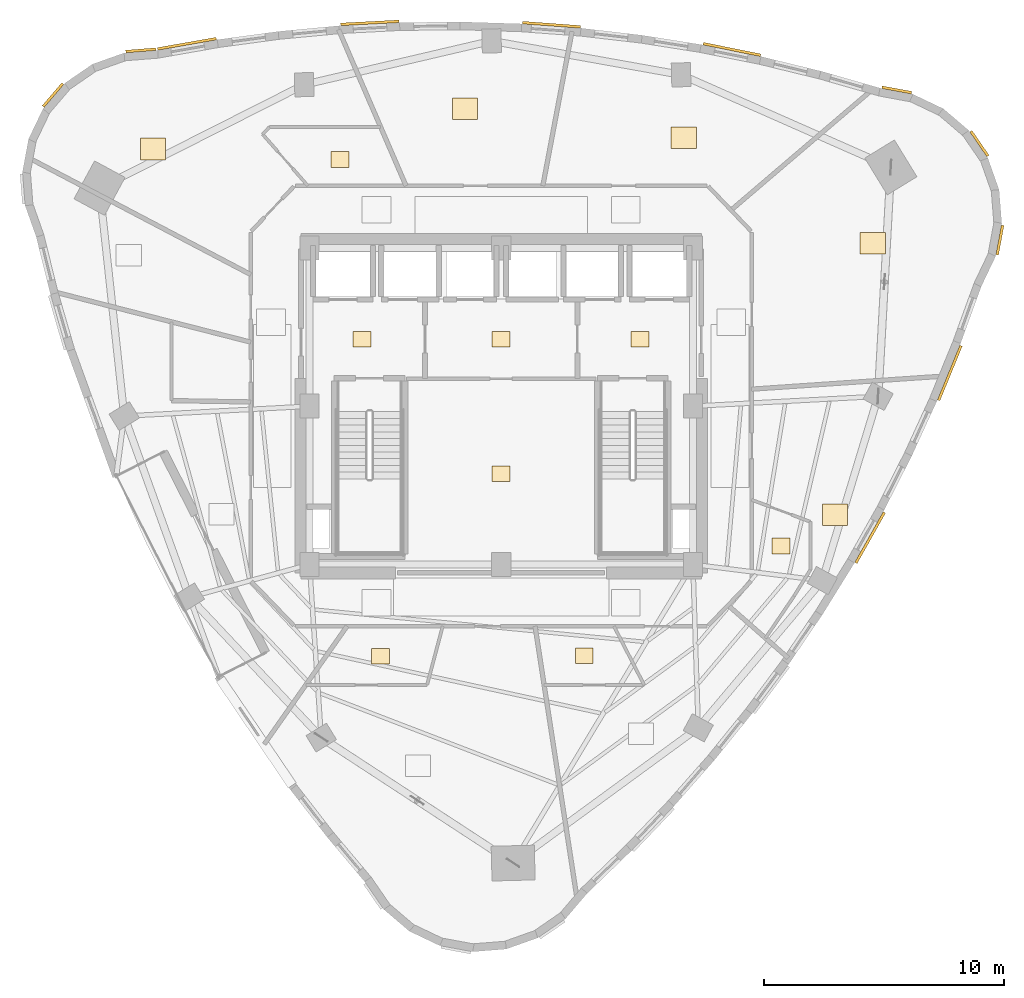
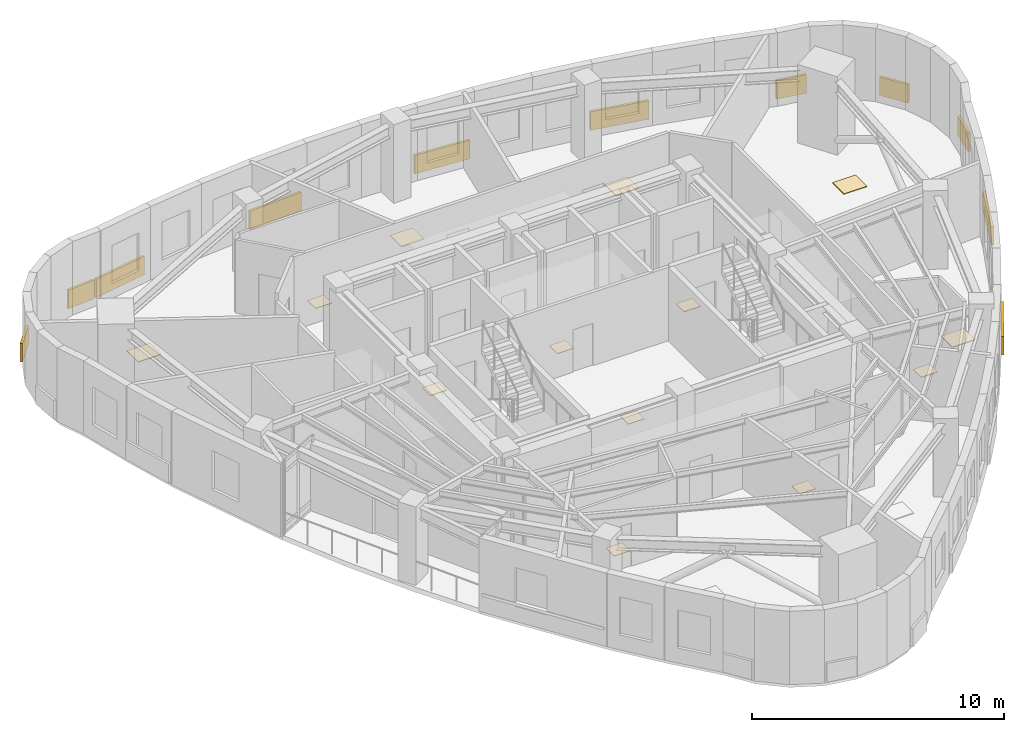
# One storey, part 13 of 13: 24 coverings.
"""IFC4 building model written with IfcOpenShell, lengths in metres."""

from ifc_helpers import new_model, si_unit, direction, frame, origin, origin_2d, place, context, subcontext, project, spatial, rectangle, extrude, material, layer, layer_set, type_object, element, save


model = new_model("IFC4")

# Units and contexts
model_context = context("Model", 3, precision=1e-05, world=origin(), true_north=direction((0.0, 1.0)))
body_context = subcontext(model_context, "Body", "Model", "MODEL_VIEW")
ifc_project = project(units=[si_unit("LENGTHUNIT", "METRE"), si_unit("AREAUNIT", "SQUARE_METRE"), si_unit("VOLUMEUNIT", "CUBIC_METRE"), si_unit("PLANEANGLEUNIT", "RADIAN"), si_unit("MASSUNIT", "GRAM", prefix="KILO")], contexts=[model_context])

# Site, building, storey
site_placement = place(None, origin())
site = spatial("IfcSite", under=ifc_project, at=site_placement, CompositionType="ELEMENT")
building_placement = place(site_placement, origin())
building = spatial("IfcBuilding", under=site, at=building_placement, Name="Ndelora Gate Hotel", CompositionType="ELEMENT")
storey_placement = place(building_placement, frame((0.0, 0.0, 197.949951171875)))
storey = spatial("IfcBuildingStorey", under=building, at=storey_placement, Name="L49", CompositionType="ELEMENT", Elevation=197.949951171875)

# Coverings
ifc_material_1 = material(Name="Terracotta Fired Clay Brick Slip Cladding", Category="masonry")
ifc_layer_1 = layer(ifc_material_1, 0.110107421875)
ifc_layer_set_1 = layer_set([ifc_layer_1], Name="Terracotta Fired Clay Brick Slip Cladding")
covering_type_1 = type_object("IfcCoveringType", Name="COV-CLAD-BRK", PredefinedType="CLADDING", material=ifc_layer_set_1)
covering_1_placement = place(storey_placement, frame((-15.0380859375, 14.849609375, 0.10009765625), z_axis=(0.0, 0.0, 1.0), x_axis=(0.996917333733, 0.078459095728, 0.0)))
element("IfcCovering", 1, at=covering_1_placement, inside=storey, type_object=covering_type_1, Name="L49 Rounded-Corner Brick Cladding Band 1", PredefinedType="CLADDING", context=body_context, shape_type="SweptSolid", body=[
    extrude(rectangle(XDim=1.257080078125, YDim=0.110107421875, at=origin_2d()), origin(), (0.0, 0.0, 1.0), 0.89990234375),
])
covering_2_placement = place(storey_placement, frame((-18.703125, 12.982421875, 0.10009765625), z_axis=(0.0, 0.0, 1.0), x_axis=(0.64944804833, 0.7604059656, 0.0)))
element("IfcCovering", 2, at=covering_2_placement, inside=storey, type_object=covering_type_1, Name="L49 Rounded-Corner Brick Cladding Band 4", PredefinedType="CLADDING", context=body_context, shape_type="SweptSolid", body=[
    extrude(rectangle(XDim=1.258056640625, YDim=0.110107421875, at=origin_2d()), origin(), (0.0, 0.0, 1.0), 0.89990234375),
])
covering_3_placement = place(storey_placement, frame((15.397705078125, -5.48388671875, 0.10009765625), z_axis=(0.0, 0.0, 1.0), x_axis=(0.490903753615, 0.87121381112, 0.0)))
element("IfcCovering", 3, at=covering_3_placement, inside=storey, type_object=covering_type_1, Name="L49 Rounded-Corner Brick Cladding Band 34", PredefinedType="CLADDING", context=body_context, shape_type="SweptSolid", body=[
    extrude(rectangle(XDim=2.419921875, YDim=0.110107421875, at=origin_2d()), origin(), (0.0, 0.0, 1.0), 0.89990234375),
])
covering_4_placement = place(storey_placement, frame((18.722900390625, 1.38720703125, 0.10009765625), z_axis=(0.0, 0.0, 1.0), x_axis=(0.379617633307, 0.925143476701, 0.0)))
element("IfcCovering", 4, at=covering_4_placement, inside=storey, type_object=covering_type_1, Name="L49 Rounded-Corner Brick Cladding Band 37", PredefinedType="CLADDING", context=body_context, shape_type="SweptSolid", body=[
    extrude(rectangle(XDim=2.4599609375, YDim=0.110107421875, at=origin_2d()), origin(), (0.0, 0.0, 1.0), 0.89990234375),
])
for number, where, z_axis, x_axis, name in (
    (5, (20.812744140625, 6.932861328125, 0.10009765625), (0.0, 0.0, 1.0), (0.182235525492, 0.983254907564, 0.0), "L49 Rounded-Corner Brick Cladding Band 40"),
    (6, (19.95751953125, 10.9560546875, 0.10009765625), (0.0, 0.0, 1.0), (-0.566406236925, 0.824126188622, 0.0), "L49 Rounded-Corner Brick Cladding Band 43"),
    (7, (16.508056640625, 13.1962890625, 0.10009765625), (0.0, 0.0, 1.0), (-0.983254907564, 0.182235525492, 0.0), "L49 Rounded-Corner Brick Cladding Band 46"),
):
    element("IfcCovering", number, at=place(storey_placement, frame(where, z_axis=z_axis, x_axis=x_axis)), inside=storey, type_object=covering_type_1, Name=name, PredefinedType="CLADDING", context=body_context, shape_type="SweptSolid", body=[
        extrude(rectangle(XDim=1.257080078125, YDim=0.110107421875, at=origin_2d()), origin(), (0.0, 0.0, 1.0), 0.89990234375),
    ])
covering_5_placement = place(storey_placement, frame((9.62841796875, 14.88720703125, 0.10009765625), z_axis=(0.0, 0.0, 1.0), x_axis=(-0.98040892658, 0.196972933884, 0.0)))
element("IfcCovering", 8, at=covering_5_placement, inside=storey, type_object=covering_type_1, Name="L49 Rounded-Corner Brick Cladding Band 49", PredefinedType="CLADDING", context=body_context, shape_type="SweptSolid", body=[
    extrude(rectangle(XDim=2.443115234375, YDim=0.110107421875, at=origin_2d()), origin(), (0.0, 0.0, 1.0), 0.89990234375),
])
covering_6_placement = place(storey_placement, frame((2.098388671875, 15.918212890625, 0.10009765625), z_axis=(0.0, 0.0, 1.0), x_axis=(-0.997314477224, 0.073238197128, 0.0)))
element("IfcCovering", 9, at=covering_6_placement, inside=storey, type_object=covering_type_1, Name="L49 Rounded-Corner Brick Cladding Band 52", PredefinedType="CLADDING", context=body_context, shape_type="SweptSolid", body=[
    extrude(rectangle(XDim=2.416015625, YDim=0.110107421875, at=origin_2d()), origin(), (0.0, 0.0, 1.0), 0.89990234375),
])
covering_7_placement = place(storey_placement, frame((-5.48193359375, 15.997314453125, 0.10009765625), z_axis=(0.0, 0.0, 1.0), x_axis=(0.998638653892, 0.052161661713, 0.0)))
element("IfcCovering", 10, at=covering_7_placement, inside=storey, type_object=covering_type_1, Name="L49 Rounded-Corner Brick Cladding Band 55", PredefinedType="CLADDING", context=body_context, shape_type="SweptSolid", body=[
    extrude(rectangle(XDim=2.428955078125, YDim=0.110107421875, at=origin_2d()), origin(), (0.0, 0.0, 1.0), 0.89990234375),
])
covering_8_placement = place(storey_placement, frame((-13.111083984375, 15.124267578125, 0.10009765625), z_axis=(0.0, 0.0, 1.0), x_axis=(0.984807753012, 0.173648177667, 0.0)))
element("IfcCovering", 11, at=covering_8_placement, inside=storey, type_object=covering_type_1, Name="L49 Rounded-Corner Brick Cladding Band 58", PredefinedType="CLADDING", context=body_context, shape_type="SweptSolid", body=[
    extrude(rectangle(XDim=2.48193359375, YDim=0.110107421875, at=origin_2d()), origin(), (0.0, 0.0, 1.0), 0.89990234375),
])
ifc_material_2 = material(Name="Engineered Highland Oak Parquet", Category="wood")
ifc_layer_2 = layer(ifc_material_2, 0.030029296875)
ifc_layer_set_2 = layer_set([ifc_layer_2], Name="Engineered Highland Oak Parquet")
covering_type_2 = type_object("IfcCoveringType", Name="COV-FLR-PARQ", PredefinedType="FLOORING", material=ifc_layer_set_2)
for number, where, z_axis, x_axis, name in (
    (12, (13.92919921875, -4.52099609375, 0.0), (0.0, 0.0, 1.0), (1.0, 0.0, 0.0), "L49 Diplomatic Sky Suite 5203 Oak Parquet Flooring"),
    (13, (15.507568359375, 6.798828125, 0.0), (0.0, 0.0, 1.0), (1.0, 0.0, 0.0), "L49 Summit Boardroom Office Oak Parquet Flooring"),
    (14, (7.6201171875, 11.21044921875, 0.0), (0.0, 0.0, 1.0), (1.0, 0.0, 0.0), "L49 Diplomatic Briefing Office Oak Parquet Flooring"),
    (15, (-1.505859375, 12.419921875, 0.0), (0.0, 0.0, 1.0), (1.0, 0.0, 0.0), "L49 Private Tea Cocktail Bar Oak Parquet Flooring"),
    (16, (-14.528564453125, 10.73193359375, 0.0), (0.0, 0.0, 1.0), (1.0, 0.0, 0.0), "L49 Altitude King Junior Suite 5204 Oak Parquet Flooring"),
):
    element("IfcCovering", number, at=place(storey_placement, frame(where, z_axis=z_axis, x_axis=x_axis)), inside=storey, type_object=covering_type_2, Name=name, PredefinedType="FLOORING", context=body_context, shape_type="SweptSolid", body=[
        extrude(rectangle(XDim=1.050048828125, YDim=0.89990234375, at=origin_2d()), origin(), (0.0, 0.0, 1.0), 0.030029296875),
    ])
ifc_material_3 = material(Name="Non-Slip Porcelain Wet-Room Tile", Category="ceramic")
ifc_layer_3 = layer(ifc_material_3, 0.02490234375)
ifc_layer_set_3 = layer_set([ifc_layer_3], Name="Non-Slip Porcelain Wet-Room Tile")
covering_type_3 = type_object("IfcCoveringType", Name="COV-FLR-TILE", PredefinedType="FLOORING", material=ifc_layer_set_3)
for number, where, z_axis, x_axis, name in (
    (17, (-5.800048828125, 2.800048828125, 0.0), (0.0, 0.0, 1.0), (1.0, 0.0, 0.0), "L49 Firefighting Lift Lobby West Porcelain Tile Flooring"),
    (18, (5.800048828125, 2.800048828125, 0.0), (0.0, 0.0, 1.0), (1.0, 0.0, 0.0), "L49 Firefighting Lift Lobby East Porcelain Tile Flooring"),
    (19, (0.0, 2.800048828125, 0.0), (0.0, 0.0, 1.0), (1.0, 0.0, 0.0), "L49 Central Passenger Lift Lobby Porcelain Tile Flooring"),
    (20, (0.0, -2.824951171875, 0.0), (0.0, 0.0, 1.0), (1.0, 0.0, 0.0), "L49 Core Electrical and Linen Service Store Porcelain Tile Flooring"),
    (21, (-5.040771484375, -10.436279296875, 0.0), (0.0, 0.0, 1.0), (1.0, 0.0, 0.0), "L49 En-suite Bathroom 5201 Porcelain Tile Flooring"),
    (22, (3.466796875, -10.405029296875, 0.0), (0.0, 0.0, 1.0), (1.0, 0.0, 0.0), "L49 En-suite Bathroom 5202 Porcelain Tile Flooring"),
    (23, (11.675048828125, -5.831787109375, 0.0), (0.0, 0.0, 1.0), (1.0, 0.0, 0.0), "L49 En-suite Bathroom 5203 Porcelain Tile Flooring"),
    (24, (-6.732177734375, 10.29443359375, 0.0), (0.0, 0.0, 1.0), (1.0, 0.0, 0.0), "L49 En-suite Bathroom 5204 Porcelain Tile Flooring"),
):
    element("IfcCovering", number, at=place(storey_placement, frame(where, z_axis=z_axis, x_axis=x_axis)), inside=storey, type_object=covering_type_3, Name=name, PredefinedType="FLOORING", context=body_context, shape_type="SweptSolid", body=[
        extrude(rectangle(XDim=0.75, YDim=0.64990234375, at=origin_2d()), origin(), (0.0, 0.0, 1.0), 0.02490234375),
    ])

save(model, "model.ifc")
